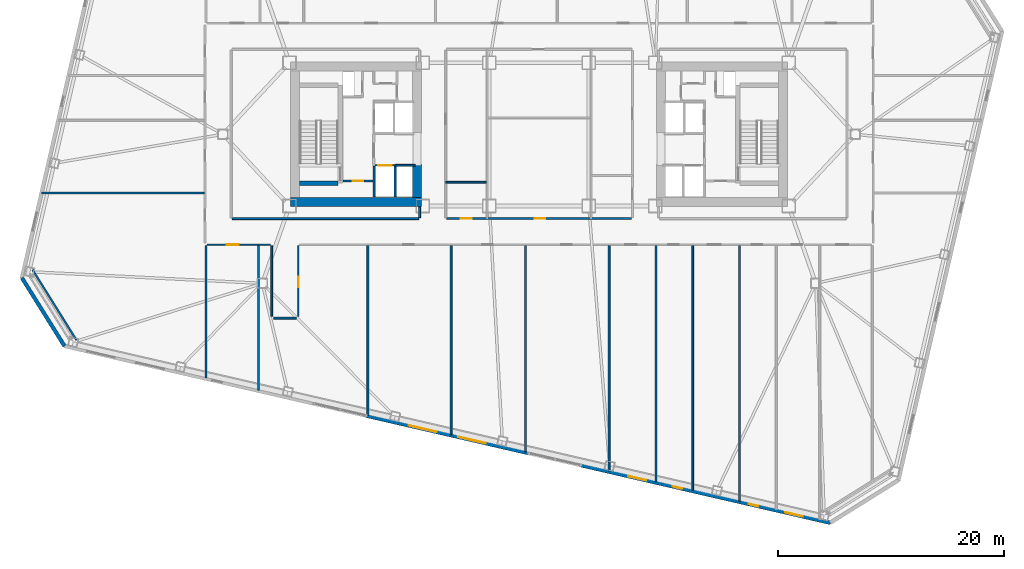
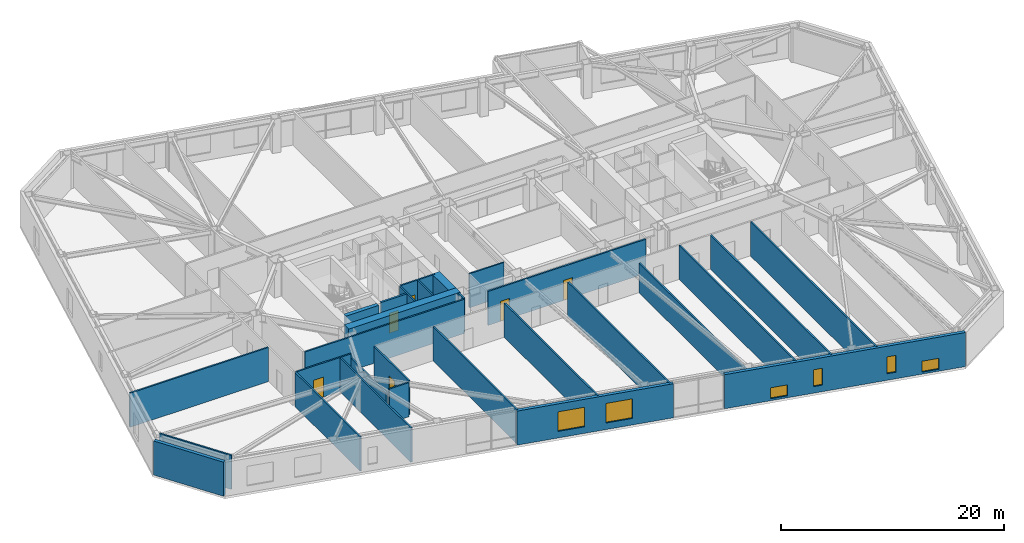
# One storey, part 11 of 21: 30 walls, 6 doors, 6 windows, 12 openings.
"""IFC4 building model written with IfcOpenShell, lengths in metres."""

import ifcopenshell
import ifcopenshell.guid

model = None  # the IFC model being written
_history = None  # IfcOwnerHistory: only IFC2X3 demands one
_inside = {}  # id of a spatial element -> (the spatial element, [elements in it])
_under = {}  # id of a project, library or spatial element -> (it, [spatial elements below it])
_declared = {}  # id of a project -> (the project, [libraries it declares])
_typed = {}  # id of a type object -> (the type object, [elements of that type])
_made_of = {}  # id of a material, layer set ... -> (it, [elements and type objects made of it])


def new_model(schema):
    """Start an empty IFC model of exactly this schema.

    Asked for "IFC4X3", IfcOpenShell would pick the latest addendum, in which some entities
    have other attributes; the version numbers below select the first issue.
    IFC2X3 requires an IfcOwnerHistory on every rooted entity: one is made here for all.
    """
    global model, _history
    if schema == "IFC4X3":
        model = ifcopenshell.file(schema_version=(4, 3, 0, 0))
    else:
        model = ifcopenshell.file(schema=schema)
    _inside.clear()
    _under.clear()
    _declared.clear()
    _typed.clear()
    _made_of.clear()
    _history = None
    if model.schema == "IFC2X3":
        org = make("IfcOrganization", Name="unknown")
        user = make(
            "IfcPersonAndOrganization",
            ThePerson=make("IfcPerson", FamilyName="unknown"),
            TheOrganization=org,
        )
        app = make(
            "IfcApplication",
            ApplicationDeveloper=org,
            Version="unknown",
            ApplicationFullName="unknown",
            ApplicationIdentifier="unknown",
        )
        _history = make(
            "IfcOwnerHistory",
            OwningUser=user,
            OwningApplication=app,
            ChangeAction="ADDED",
            CreationDate=0,
        )
    return model


def make(cls, **values):
    """One entity of the class cls with the attributes given. An attribute that is None is left unset."""
    return model.create_entity(
        cls, **{name: value for name, value in values.items() if value is not None}
    )


def rooted(cls, **values):
    """An entity with a GlobalId (a new one), such as an element, a storey or a relation."""
    return make(cls, GlobalId=ifcopenshell.guid.new(), OwnerHistory=_history, **values)


def si_unit(unit_type, name, prefix=None):
    """IfcSIUnit, for example si_unit("LENGTHUNIT", "METRE", prefix="MILLI")."""
    return make("IfcSIUnit", UnitType=unit_type, Prefix=prefix, Name=name)


def assignment(units):
    """IfcUnitAssignment: the units of a project."""
    return None if units is None else make("IfcUnitAssignment", Units=units)


def point(xyz):
    """IfcCartesianPoint."""
    return None if xyz is None else make("IfcCartesianPoint", Coordinates=xyz)


def direction(xyz):
    """IfcDirection."""
    return None if xyz is None else make("IfcDirection", DirectionRatios=xyz)


def frame(location, z_axis=None, x_axis=None):
    """IfcAxis2Placement3D, a coordinate frame: its origin and axes. An axis left out is left unset."""
    return make(
        "IfcAxis2Placement3D",
        Location=point(location),
        Axis=direction(z_axis),
        RefDirection=direction(x_axis),
    )


def frame_2d(location, x_axis=None):
    """IfcAxis2Placement2D, a coordinate frame in the plane: its origin and x axis."""
    return make(
        "IfcAxis2Placement2D", Location=point(location), RefDirection=direction(x_axis)
    )


def origin():
    """The frame at (0, 0, 0) with its axes left unset."""
    return frame((0.0, 0.0, 0.0))


def place(relative_to, where):
    """IfcLocalPlacement: puts the frame where relative to a parent placement (None: the world)."""
    return make(
        "IfcLocalPlacement", PlacementRelTo=relative_to, RelativePlacement=where
    )


def context(
    kind, dimensions, precision=None, world=None, true_north=None, identifier=None
):
    """IfcGeometricRepresentationContext, for example the 3D "Model" context."""
    return make(
        "IfcGeometricRepresentationContext",
        ContextIdentifier=identifier,
        ContextType=kind,
        CoordinateSpaceDimension=dimensions,
        Precision=precision,
        WorldCoordinateSystem=world,
        TrueNorth=true_north,
    )


def subcontext(parent, identifier, kind, view, scale=None):
    """IfcGeometricRepresentationSubContext, for example "Body" below "Model"."""
    return make(
        "IfcGeometricRepresentationSubContext",
        ContextIdentifier=identifier,
        ContextType=kind,
        ParentContext=parent,
        TargetScale=scale,
        TargetView=view,
    )


def project(units=None, contexts=None):
    """IfcProject with its units and contexts."""
    return rooted(
        "IfcProject",
        Name="project",
        RepresentationContexts=contexts,
        UnitsInContext=assignment(units),
    )


def spatial(cls, under=None, at=None, **own):
    """A site, building, storey or space (cls), placed at a placement, below another one or the project."""
    s = rooted(cls, ObjectPlacement=at, **own)
    if under is not None:
        _under.setdefault(under.id(), (under, []))[1].append(s)
    return s


def profile(cls, at=None, kind="AREA", **sizes):
    """A parametric profile (cls). Its sizes go by their IFC names, for example OverallWidth=200.0."""
    return make(cls, ProfileType=kind, Position=at, **sizes)


def rectangle(**sizes):
    """IfcRectangleProfileDef."""
    return profile("IfcRectangleProfileDef", **sizes)


def extrude(swept, where, along, depth):
    """IfcExtrudedAreaSolid: the profile swept, set in the frame where, extruded along a direction by depth."""
    return make(
        "IfcExtrudedAreaSolid",
        SweptArea=swept,
        Position=where,
        ExtrudedDirection=direction(along),
        Depth=depth,
    )


def shape(context_of_items, identifier, shape_type, items):
    """IfcShapeRepresentation: the items that make up one representation, for example the "Body"."""
    return make(
        "IfcShapeRepresentation",
        ContextOfItems=context_of_items,
        RepresentationIdentifier=identifier,
        RepresentationType=shape_type,
        Items=items,
    )


def material(Name=None, Category=None):
    """IfcMaterial."""
    return make("IfcMaterial", Name=Name, Category=Category)


def layer(
    of_material, thickness, ventilated=None, Name=None, Category=None, Priority=None
):
    """IfcMaterialLayer: one layer of a wall or slab, of a material (None: an air gap)."""
    return make(
        "IfcMaterialLayer",
        Material=of_material,
        LayerThickness=thickness,
        IsVentilated=ventilated,
        Name=Name,
        Category=Category,
        Priority=Priority,
    )


def layer_set(layers, Name=None):
    """IfcMaterialLayerSet."""
    return make("IfcMaterialLayerSet", MaterialLayers=layers, LayerSetName=Name)


def made_of(thing, what):
    """Note that an element or type object is made of a material, layer set ...; save() writes the relation."""
    if what is not None:
        _made_of.setdefault(what.id(), (what, []))[1].append(thing)
    return thing


def type_object(cls, material=None, **own):
    """A type object (cls), such as IfcWallType, which elements share."""
    return made_of(rooted(cls, **own), material)


def element(
    cls,
    number,
    at=None,
    inside=None,
    cuts=None,
    type_object=None,
    material=None,
    context=None,
    identifier="Body",
    shape_type=None,
    held_by="IfcProductDefinitionShape",
    body=None,
    shapes=None,
    **own,
):
    """One element of the class cls, such as IfcWall. Its Tag is "e" and its number.

    at: its placement. inside: the storey or other place that contains it. cuts: it is an
    opening in that element (IfcRelVoidsElement). A single representation is given by context,
    identifier, shape_type and body (its items); several are given by shapes. held_by: the class
    of the entity that holds the representations. save() writes the other relations.
    """
    e = rooted(cls, Tag="e%d" % number, ObjectPlacement=at, **own)
    if body is not None:
        shapes = [shape(context, identifier, shape_type, body)]
    if shapes is not None:
        e.Representation = make(held_by, Representations=shapes)
    if inside is not None:
        _inside.setdefault(inside.id(), (inside, []))[1].append(e)
    if cuts is not None:
        rooted(
            "IfcRelVoidsElement", RelatingBuildingElement=cuts, RelatedOpeningElement=e
        )
    if type_object is not None:
        _typed.setdefault(type_object.id(), (type_object, []))[1].append(e)
    return made_of(e, material)


def fill(opening, filler):
    """IfcRelFillsElement: the door or window that sits in an opening."""
    return rooted(
        "IfcRelFillsElement",
        RelatingOpeningElement=opening,
        RelatedBuildingElement=filler,
    )


def aggregate(whole, parts):
    """IfcRelAggregates: a whole, such as a stair, and the parts it consists of."""
    return rooted("IfcRelAggregates", RelatingObject=whole, RelatedObjects=parts)


def save(model, path):
    """Write the relations noted so far, then the file.

    IfcRelAggregates (storeys below a building ...), IfcRelContainedInSpatialStructure (elements
    in a storey), IfcRelDefinesByType, IfcRelAssociatesMaterial and IfcRelDeclares: one each for
    every whole, place, type object, material and project.
    """
    for whole, parts in _under.values():
        aggregate(whole, parts)
    for where, things in _inside.values():
        rooted(
            "IfcRelContainedInSpatialStructure",
            RelatedElements=things,
            RelatingStructure=where,
        )
    for kind, things in _typed.values():
        rooted("IfcRelDefinesByType", RelatedObjects=things, RelatingType=kind)
    for what, things in _made_of.values():
        rooted("IfcRelAssociatesMaterial", RelatedObjects=things, RelatingMaterial=what)
    for by, libraries in _declared.values():
        rooted("IfcRelDeclares", RelatingContext=by, RelatedDefinitions=libraries)
    model.write(path)


model = new_model("IFC4")

# Units and contexts
model_context = context("Model", 3, precision=1e-05, world=origin(), true_north=direction((0.0, 1.0)))
body_context = subcontext(model_context, "Body", "Model", "MODEL_VIEW")
ifc_project = project(units=[si_unit("LENGTHUNIT", "METRE"), si_unit("AREAUNIT", "SQUARE_METRE"), si_unit("VOLUMEUNIT", "CUBIC_METRE"), si_unit("PLANEANGLEUNIT", "RADIAN"), si_unit("MASSUNIT", "GRAM", prefix="KILO")], contexts=[model_context])

# Site, building, storey
site_placement = place(None, origin())
site = spatial("IfcSite", under=ifc_project, at=site_placement, CompositionType="ELEMENT")
building_placement = place(site_placement, origin())
building = spatial("IfcBuilding", under=site, at=building_placement, Name="Tavrogorsk Clinical Tower", CompositionType="ELEMENT")
storey_placement = place(building_placement, frame((0.0, 0.0, 71.39990234375)))
storey = spatial("IfcBuildingStorey", under=building, at=storey_placement, Name="L15", CompositionType="ELEMENT", Elevation=71.39990234375)

# Wall, opening, door
ifc_material_1 = material(Name="Concrete B60", Category="concrete")
ifc_layer_1 = layer(ifc_material_1, 0.199951171875)
ifc_layer_set_1 = layer_set([ifc_layer_1], Name="Concrete B60")
wall_type_1 = type_object("IfcWallType", Name="CoreFireWall_200", PredefinedType="SOLIDWALL", material=ifc_layer_set_1)
wall_1_placement = place(storey_placement, frame((-17.3798828125, -4.139892578125, 0.0), z_axis=(0.0, 0.0, 1.0), x_axis=(1.0, 0.0, 0.0)))
wall_1 = element("IfcWall", 1, at=wall_1_placement, inside=storey, type_object=wall_type_1, Name="L15 Core West South Core Room Fire Wall", PredefinedType="SOLIDWALL", context=body_context, shape_type="SweptSolid", body=[
    extrude(rectangle(XDim=2.659912109375, YDim=0.199951171875, at=frame_2d((1.330078125, 0.0))), origin(), (0.0, 0.0, 1.0), 3.739990234375),
])
opening_1_placement = place(wall_1_placement, frame((0.8798828125, 0.0, 0.0)))
opening_1 = element("IfcOpeningElement", 2, at=opening_1_placement, cuts=wall_1, Name="Opening ID-02", PredefinedType="OPENING", context=body_context, shape_type="SweptSolid", body=[
    extrude(rectangle(XDim=0.949951171875, YDim=2.199951171875, at=frame_2d((0.47509765625, 1.10009765625))), frame((0.0, 0.10986328125, 0.0), z_axis=(0.0, -1.0, 0.0), x_axis=(1.0, 0.0, 0.0)), (0.0, 0.0, 1.0), 0.219970703125),
])
ifc_material_2 = material(Name="Laminated timber leaf on aluminium frame", Category="wood")
door_type_1 = type_object("IfcDoorType", Name="InteriorDoor_ID02_950", OperationType="NOTDEFINED", PredefinedType="DOOR", material=ifc_material_2)
door_1_placement = place(opening_1_placement, origin())
door_1 = element("IfcDoor", 3, at=door_1_placement, inside=storey, type_object=door_type_1, Name="L15 Core West South Core Room Door", OperationType="SINGLE_SWING_RIGHT", OverallHeight=2.199951171875, OverallWidth=0.949951171875, PredefinedType="DOOR", context=body_context, shape_type="SweptSolid", body=[
    extrude(rectangle(XDim=0.949951171875, YDim=2.199951171875, at=frame_2d((0.47509765625, 1.10009765625))), frame((0.0, 0.02490234375, 0.0), z_axis=(0.0, -1.0, 0.0), x_axis=(1.0, 0.0, 0.0)), (0.0, 0.0, 1.0), 0.050048828125),
])
fill(opening_1, door_1)

# Walls
ifc_material_3 = material(Name="Lightweight concrete blockwork B15", Category="masonry")
ifc_layer_2 = layer(ifc_material_3, 0.139892578125)
ifc_layer_set_2 = layer_set([ifc_layer_2], Name="Lightweight concrete blockwork B15")
wall_type_2 = type_object("IfcWallType", Name="PartitionWall_140", PredefinedType="PARTITIONING", material=ifc_layer_set_2)
wall_2_placement = place(storey_placement, frame((-8.264892578125, -4.25, 0.0), z_axis=(0.0, 0.0, 1.0), x_axis=(1.0, 0.0, 0.0)))
element("IfcWall", 4, at=wall_2_placement, inside=storey, type_object=wall_type_2, Name="L15 Central Spine Partition 4", PredefinedType="PARTITIONING", context=body_context, shape_type="SweptSolid", body=[
    extrude(rectangle(XDim=3.58984375, YDim=0.139892578125, at=frame_2d((1.794921875, 0.0))), origin(), (0.0, 0.0, 1.0), 3.739990234375),
])
ifc_material_4 = material(Name="Lightweight concrete blockwork B15", Category="masonry")
ifc_layer_3 = layer(ifc_material_4, 0.159912109375)
ifc_layer_set_3 = layer_set([ifc_layer_3], Name="Lightweight concrete blockwork B15")
wall_type_3 = type_object("IfcWallType", Name="PartitionWall_160", PredefinedType="PARTITIONING", material=ifc_layer_set_3)
wall_3_placement = place(storey_placement, frame((-44.85986328125, -11.9892578125, 0.0), z_axis=(0.0, 0.0, 1.0), x_axis=(0.52991239767, -0.848052386823, 0.0)))
element("IfcWall", 5, at=wall_3_placement, inside=storey, type_object=wall_type_3, Name="L15 Corner Exoskeleton Brace Furring Wall 4", PredefinedType="PARTITIONING", context=body_context, shape_type="SweptSolid", body=[
    extrude(rectangle(XDim=7.35400390625, YDim=0.159912109375, at=frame_2d((3.677001953125, 0.0))), origin(), (0.0, 0.0, 1.0), 3.739990234375),
])

# Wall, opening, door
wall_4_placement = place(storey_placement, frame((-23.764892578125, -9.780029296875, 0.0), z_axis=(0.0, 0.0, 1.0), x_axis=(-1.0, 0.0, 0.0)))
wall_4 = element("IfcWall", 6, at=wall_4_placement, inside=storey, type_object=wall_type_3, Name="L15 Corridor Partition 01", PredefinedType="PARTITIONING", context=body_context, shape_type="SweptSolid", body=[
    extrude(rectangle(XDim=5.650146484375, YDim=0.159912109375, at=frame_2d((2.8251953125, 0.0))), origin(), (0.0, 0.0, 1.0), 3.739990234375),
])
opening_2_placement = place(wall_4_placement, frame((2.825927734375, 0.0, 0.0)))
opening_2 = element("IfcOpeningElement", 7, at=opening_2_placement, cuts=wall_4, Name="Opening ID-04", PredefinedType="OPENING", context=body_context, shape_type="SweptSolid", body=[
    extrude(rectangle(XDim=1.050048828125, YDim=2.199951171875, at=frame_2d((0.52490234375, 1.10009765625))), frame((0.0, 0.08984375, 0.0), z_axis=(0.0, -1.0, 0.0), x_axis=(1.0, 0.0, 0.0)), (0.0, 0.0, 1.0), 0.179931640625),
])
ifc_material_5 = material(Name="Antibacterial HPL consultation door on aluminium frame", Category="aluminium")
door_type_2 = type_object("IfcDoorType", Name="ConsultDoor_ID04_1050", OperationType="NOTDEFINED", PredefinedType="DOOR", material=ifc_material_5)
door_2_placement = place(opening_2_placement, origin())
door_2 = element("IfcDoor", 8, at=door_2_placement, inside=storey, type_object=door_type_2, Name="L15 South Speech & Occupational Therapy Office 01 Door", OperationType="SINGLE_SWING_RIGHT", OverallHeight=2.199951171875, OverallWidth=1.050048828125, PredefinedType="DOOR", context=body_context, shape_type="SweptSolid", body=[
    extrude(rectangle(XDim=1.050048828125, YDim=2.199951171875, at=frame_2d((0.52490234375, 1.10009765625))), frame((0.0, 0.02490234375, 0.0), z_axis=(0.0, -1.0, 0.0), x_axis=(1.0, 0.0, 0.0)), (0.0, 0.0, 1.0), 0.050048828125),
])
fill(opening_2, door_2)

wall_5_placement = place(storey_placement, frame((-21.320068359375, -9.864990234375, 0.0), z_axis=(0.0, 0.0, 1.0), x_axis=(0.0, -1.0, 0.0)))
wall_5 = element("IfcWall", 9, at=wall_5_placement, inside=storey, type_object=wall_type_3, Name="L15 Corridor Partition 06", PredefinedType="PARTITIONING", context=body_context, shape_type="SweptSolid", body=[
    extrude(rectangle(XDim=6.25, YDim=0.159912109375, at=frame_2d((3.125, 0.0))), origin(), (0.0, 0.0, 1.0), 3.739990234375),
])
opening_3_placement = place(wall_5_placement, frame((2.735107421875, 0.0, 0.0)))
opening_3 = element("IfcOpeningElement", 10, at=opening_3_placement, cuts=wall_5, Name="Opening ID-02", PredefinedType="OPENING", context=body_context, shape_type="SweptSolid", body=[
    extrude(rectangle(XDim=0.949951171875, YDim=2.199951171875, at=frame_2d((0.47509765625, 1.10009765625))), frame((0.0, 0.08984375, 0.0), z_axis=(0.0, -1.0, 0.0), x_axis=(1.0, 0.0, 0.0)), (0.0, 0.0, 1.0), 0.179931640625),
])
door_3_placement = place(opening_3_placement, origin())
door_3 = element("IfcDoor", 11, at=door_3_placement, inside=storey, type_object=door_type_1, Name="L15 South Rehabilitation Case Seminar Room 02 Door", OperationType="SINGLE_SWING_LEFT", OverallHeight=2.199951171875, OverallWidth=0.949951171875, PredefinedType="DOOR", context=body_context, shape_type="SweptSolid", body=[
    extrude(rectangle(XDim=0.949951171875, YDim=2.199951171875, at=frame_2d((0.47509765625, 1.10009765625))), frame((0.0, 0.02490234375, 0.0), z_axis=(0.0, -1.0, 0.0), x_axis=(1.0, 0.0, 0.0)), (0.0, 0.0, 1.0), 0.050048828125),
])
fill(opening_3, door_3)

# Walls
wall_6_placement = place(storey_placement, frame((-21.485107421875, -16.280029296875, 0.0), z_axis=(0.0, 0.0, 1.0), x_axis=(-1.0, 0.0, 0.0)))
element("IfcWall", 12, at=wall_6_placement, inside=storey, type_object=wall_type_3, Name="L15 Corridor Partition 07", PredefinedType="PARTITIONING", context=body_context, shape_type="SweptSolid", body=[
    extrude(rectangle(XDim=2.02978515625, YDim=0.159912109375, at=frame_2d((1.014892578125, 0.0))), origin(), (0.0, 0.0, 1.0), 3.739990234375),
])
wall_7_placement = place(storey_placement, frame((-23.679931640625, -16.114990234375, 0.0), z_axis=(0.0, 0.0, 1.0), x_axis=(0.0, 1.0, 0.0)))
element("IfcWall", 13, at=wall_7_placement, inside=storey, type_object=wall_type_3, Name="L15 Corridor Partition 08", PredefinedType="PARTITIONING", context=body_context, shape_type="SweptSolid", body=[
    extrude(rectangle(XDim=6.25, YDim=0.159912109375, at=frame_2d((3.125, 0.0))), origin(), (0.0, 0.0, 1.0), 3.235107421875),
])

# Wall, openings, doors
wall_8_placement = place(storey_placement, frame((-8.18505859375, -7.469970703125, 0.0), z_axis=(0.0, 0.0, 1.0), x_axis=(1.0, 0.0, 0.0)))
wall_8 = element("IfcWall", 14, at=wall_8_placement, inside=storey, type_object=wall_type_3, Name="L15 Corridor Partition 16", PredefinedType="PARTITIONING", context=body_context, shape_type="SweptSolid", body=[
    extrude(rectangle(XDim=16.3701171875, YDim=0.159912109375, at=frame_2d((8.18505859375, 0.0))), origin(), (0.0, 0.0, 1.0), 3.739990234375),
])
opening_4_placement = place(wall_8_placement, frame((1.254150390625, 0.0, 0.0)))
opening_4 = element("IfcOpeningElement", 15, at=opening_4_placement, cuts=wall_8, Name="Opening ID-02", PredefinedType="OPENING", context=body_context, shape_type="SweptSolid", body=[
    extrude(rectangle(XDim=0.949951171875, YDim=2.199951171875, at=frame_2d((0.47509765625, 1.10009765625))), frame((0.0, 0.08984375, 0.0), z_axis=(0.0, -1.0, 0.0), x_axis=(1.0, 0.0, 0.0)), (0.0, 0.0, 1.0), 0.179931640625),
])
opening_5_placement = place(wall_8_placement, frame((7.794921875, 0.0, 0.0)))
opening_5 = element("IfcOpeningElement", 16, at=opening_5_placement, cuts=wall_8, Name="Opening ID-02", PredefinedType="OPENING", context=body_context, shape_type="SweptSolid", body=[
    extrude(rectangle(XDim=0.949951171875, YDim=2.199951171875, at=frame_2d((0.47509765625, 1.10009765625))), frame((0.0, 0.08984375, 0.0), z_axis=(0.0, -1.0, 0.0), x_axis=(1.0, 0.0, 0.0)), (0.0, 0.0, 1.0), 0.179931640625),
])
door_4_placement = place(opening_4_placement, origin())
door_4 = element("IfcDoor", 17, at=door_4_placement, inside=storey, type_object=door_type_1, Name="L15 Accessible Patient Lavatory Door", OperationType="SINGLE_SWING_LEFT", OverallHeight=2.199951171875, OverallWidth=0.949951171875, PredefinedType="DOOR", context=body_context, shape_type="SweptSolid", body=[
    extrude(rectangle(XDim=0.949951171875, YDim=2.199951171875, at=frame_2d((0.47509765625, 1.10009765625))), frame((0.0, 0.02490234375, 0.0), z_axis=(0.0, -1.0, 0.0), x_axis=(1.0, 0.0, 0.0)), (0.0, 0.0, 1.0), 0.050048828125),
])
fill(opening_4, door_4)
door_5_placement = place(opening_5_placement, origin())
door_5 = element("IfcDoor", 18, at=door_5_placement, inside=storey, type_object=door_type_1, Name="L15 Multidisciplinary Conference Room Door", OperationType="SINGLE_SWING_LEFT", OverallHeight=2.199951171875, OverallWidth=0.949951171875, PredefinedType="DOOR", context=body_context, shape_type="SweptSolid", body=[
    extrude(rectangle(XDim=0.949951171875, YDim=2.199951171875, at=frame_2d((0.47509765625, 1.10009765625))), frame((0.0, 0.02490234375, 0.0), z_axis=(0.0, -1.0, 0.0), x_axis=(1.0, 0.0, 0.0)), (0.0, 0.0, 1.0), 0.050048828125),
])
fill(opening_5, door_5)

# Walls
wall_9_placement = place(storey_placement, frame((-10.580078125, -7.385009765625, 0.0), z_axis=(0.0, 0.0, 1.0), x_axis=(0.0, 1.0, 0.0)))
element("IfcWall", 19, at=wall_9_placement, inside=storey, type_object=wall_type_3, Name="L15 Corridor Partition 18", PredefinedType="PARTITIONING", context=body_context, shape_type="SweptSolid", body=[
    extrude(rectangle(XDim=0.965087890625, YDim=0.159912109375, at=frame_2d((0.482421875, 0.0))), origin(), (0.0, 0.0, 1.0), 3.739990234375),
])
wall_10_placement = place(storey_placement, frame((-27.18505859375, -7.469970703125, 0.0), z_axis=(0.0, 0.0, 1.0), x_axis=(1.0, 0.0, 0.0)))
element("IfcWall", 20, at=wall_10_placement, inside=storey, type_object=wall_type_3, Name="L15 Corridor Partition 22", PredefinedType="PARTITIONING", context=body_context, shape_type="SweptSolid", body=[
    extrude(rectangle(XDim=16.52001953125, YDim=0.159912109375, at=frame_2d((8.260009765625, 0.0))), origin(), (0.0, 0.0, 1.0), 3.739990234375),
])
wall_11_placement = place(storey_placement, frame((-29.5, -21.570556640625, 0.0), z_axis=(0.0, 0.0, 1.0), x_axis=(0.0, 1.0, 0.0)))
element("IfcWall", 21, at=wall_11_placement, inside=storey, type_object=wall_type_3, Name="L15 SW Wing Closure Partition", PredefinedType="PARTITIONING", context=body_context, shape_type="SweptSolid", body=[
    extrude(rectangle(XDim=11.70556640625, YDim=0.159912109375, at=frame_2d((5.852783203125, 0.0))), origin(), (0.0, 0.0, 1.0), 3.739990234375),
])
wall_12_placement = place(storey_placement, frame((-24.85009765625, -22.64404296875, 0.0), z_axis=(0.0, 0.0, 1.0), x_axis=(0.0, 1.0, 0.0)))
element("IfcWall", 22, at=wall_12_placement, inside=storey, type_object=wall_type_3, Name="L15 South Room Partition 1", PredefinedType="PARTITIONING", context=body_context, shape_type="SweptSolid", body=[
    extrude(rectangle(XDim=12.779052734375, YDim=0.159912109375, at=frame_2d((6.3896484375, 0.0))), origin(), (0.0, 0.0, 1.0), 3.739990234375),
])
wall_13_placement = place(storey_placement, frame((-15.159912109375, -24.881103515625, 0.0), z_axis=(0.0, 0.0, 1.0), x_axis=(0.0, 1.0, 0.0)))
element("IfcWall", 23, at=wall_13_placement, inside=storey, type_object=wall_type_3, Name="L15 South Room Partition 2", PredefinedType="PARTITIONING", context=body_context, shape_type="SweptSolid", body=[
    extrude(rectangle(XDim=15.01611328125, YDim=0.159912109375, at=frame_2d((7.508056640625, 0.0))), origin(), (0.0, 0.0, 1.0), 3.739990234375),
])
wall_14_placement = place(storey_placement, frame((-7.7900390625, -26.582763671875, 0.0), z_axis=(0.0, 0.0, 1.0), x_axis=(0.0, 1.0, 0.0)))
element("IfcWall", 24, at=wall_14_placement, inside=storey, type_object=wall_type_3, Name="L15 South Room Partition 3", PredefinedType="PARTITIONING", context=body_context, shape_type="SweptSolid", body=[
    extrude(rectangle(XDim=16.7177734375, YDim=0.159912109375, at=frame_2d((8.35888671875, 0.0))), origin(), (0.0, 0.0, 1.0), 3.739990234375),
])
wall_15_placement = place(storey_placement, frame((-1.199951171875, -28.10400390625, 0.0), z_axis=(0.0, 0.0, 1.0), x_axis=(0.0, 1.0, 0.0)))
element("IfcWall", 25, at=wall_15_placement, inside=storey, type_object=wall_type_3, Name="L15 South Room Partition 4", PredefinedType="PARTITIONING", context=body_context, shape_type="SweptSolid", body=[
    extrude(rectangle(XDim=18.239013671875, YDim=0.159912109375, at=frame_2d((9.11962890625, 0.0))), origin(), (0.0, 0.0, 1.0), 3.739990234375),
])
wall_16_placement = place(storey_placement, frame((6.199951171875, -29.8125, 0.0), z_axis=(0.0, 0.0, 1.0), x_axis=(0.0, 1.0, 0.0)))
element("IfcWall", 26, at=wall_16_placement, inside=storey, type_object=wall_type_3, Name="L15 South Room Partition 5", PredefinedType="PARTITIONING", context=body_context, shape_type="SweptSolid", body=[
    extrude(rectangle(XDim=19.947509765625, YDim=0.159912109375, at=frame_2d((9.9736328125, 0.0))), origin(), (0.0, 0.0, 1.0), 3.235107421875),
])
wall_17_placement = place(storey_placement, frame((13.60009765625, -31.52099609375, 0.0), z_axis=(0.0, 0.0, 1.0), x_axis=(0.0, 1.0, 0.0)))
element("IfcWall", 27, at=wall_17_placement, inside=storey, type_object=wall_type_3, Name="L15 South Room Partition 6", PredefinedType="PARTITIONING", context=body_context, shape_type="SweptSolid", body=[
    extrude(rectangle(XDim=21.656005859375, YDim=0.159912109375, at=frame_2d((10.828125, 0.0))), origin(), (0.0, 0.0, 1.0), 3.739990234375),
])
wall_18_placement = place(storey_placement, frame((10.35009765625, -30.7705078125, 0.0), z_axis=(0.0, 0.0, 1.0), x_axis=(0.0, 1.0, 0.0)))
element("IfcWall", 28, at=wall_18_placement, inside=storey, type_object=wall_type_3, Name="L15 South Sub-Partition 6", PredefinedType="PARTITIONING", context=body_context, shape_type="SweptSolid", body=[
    extrude(rectangle(XDim=20.905517578125, YDim=0.159912109375, at=frame_2d((10.45263671875, 0.0))), origin(), (0.0, 0.0, 1.0), 3.739990234375),
])
wall_19_placement = place(storey_placement, frame((17.75, -32.47900390625, 0.0), z_axis=(0.0, 0.0, 1.0), x_axis=(0.0, 1.0, 0.0)))
element("IfcWall", 29, at=wall_19_placement, inside=storey, type_object=wall_type_3, Name="L15 South Sub-Partition 7", PredefinedType="PARTITIONING", context=body_context, shape_type="SweptSolid", body=[
    extrude(rectangle(XDim=22.614013671875, YDim=0.159912109375, at=frame_2d((11.30712890625, 0.0))), origin(), (0.0, 0.0, 1.0), 3.739990234375),
])
wall_20_placement = place(storey_placement, frame((-44.0419921875, -5.199951171875, 0.0), z_axis=(0.0, 0.0, 1.0), x_axis=(1.0, 0.0, 0.0)))
element("IfcWall", 30, at=wall_20_placement, inside=storey, type_object=wall_type_3, Name="L15 W Wing Divider 1", PredefinedType="PARTITIONING", context=body_context, shape_type="SweptSolid", body=[
    extrude(rectangle(XDim=14.376953125, YDim=0.159912109375, at=frame_2d((7.1884765625, 0.0))), origin(), (0.0, 0.0, 1.0), 3.739990234375),
])

# Wall, openings, windows
ifc_material_6 = material(Name="Precast concrete B45 with limestone cladding", Category="masonry")
ifc_layer_4 = layer(ifc_material_6, 0.340087890625)
ifc_layer_set_4 = layer_set([ifc_layer_4], Name="Precast concrete B45 with limestone cladding")
wall_type_4 = type_object("IfcWallType", Name="PrecastLimestoneWall_340", PredefinedType="STANDARD", material=ifc_layer_set_4)
wall_21_placement = place(storey_placement, frame((-15.28076171875, -24.925048828125, 0.0), z_axis=(0.0, 0.0, 1.0), x_axis=(0.974370193991, -0.22495049469, 0.0)))
wall_21 = element("IfcWall", 31, at=wall_21_placement, inside=storey, type_object=wall_type_4, Name="L15 S Limestone Facade Wall 2", PredefinedType="STANDARD", context=body_context, shape_type="SweptSolid", body=[
    extrude(rectangle(XDim=14.697265625, YDim=0.340087890625, at=frame_2d((7.3486328125, 0.0))), origin(), (0.0, 0.0, 1.0), 3.739990234375),
])
opening_6_placement = place(wall_21_placement, frame((3.8564453125, 0.0, 0.719970703125)))
opening_6 = element("IfcOpeningElement", 32, at=opening_6_placement, cuts=wall_21, Name="Opening WN-11", PredefinedType="OPENING", context=body_context, shape_type="SweptSolid", body=[
    extrude(rectangle(XDim=2.5, YDim=2.14990234375, at=frame_2d((1.25, 1.074951171875))), frame((0.0, 0.179931640625, 0.0), z_axis=(0.0, -1.0, 0.0), x_axis=(1.0, 0.0, 0.0)), (0.0, 0.0, 1.0), 0.360107421875),
])
opening_7_placement = place(wall_21_placement, frame((8.3408203125, 0.0, 0.719970703125)))
opening_7 = element("IfcOpeningElement", 33, at=opening_7_placement, cuts=wall_21, Name="Opening WN-11", PredefinedType="OPENING", context=body_context, shape_type="SweptSolid", body=[
    extrude(rectangle(XDim=2.5, YDim=2.14990234375, at=frame_2d((1.25, 1.074951171875))), frame((0.0, 0.179931640625, 0.0), z_axis=(0.0, -1.0, 0.0), x_axis=(1.0, 0.0, 0.0)), (0.0, 0.0, 1.0), 0.360107421875),
])
ifc_material_7 = material(Name="Thermally broken aluminium frame and triple IGU", Category="aluminium")
window_type_1 = type_object("IfcWindowType", Name="StepDownWin_2500x2150", PartitioningType="TRIPLE_PANEL_HORIZONTAL", PredefinedType="WINDOW", material=ifc_material_7)
window_1_placement = place(opening_6_placement, origin())
window_1 = element("IfcWindow", 34, at=window_1_placement, inside=storey, type_object=window_type_1, Name="L15 S Chicago Window 05", OverallHeight=2.14990234375, OverallWidth=2.5, PartitioningType="SINGLE_PANEL", PredefinedType="WINDOW", context=body_context, shape_type="SweptSolid", body=[
    extrude(rectangle(XDim=2.5, YDim=2.14990234375, at=frame_2d((1.25, 1.074951171875))), frame((0.0, 0.030029296875, 0.0), z_axis=(0.0, -1.0, 0.0), x_axis=(1.0, 0.0, 0.0)), (0.0, 0.0, 1.0), 0.06005859375),
])
fill(opening_6, window_1)
window_2_placement = place(opening_7_placement, origin())
window_2 = element("IfcWindow", 35, at=window_2_placement, inside=storey, type_object=window_type_1, Name="L15 S Chicago Window 06", OverallHeight=2.14990234375, OverallWidth=2.5, PartitioningType="SINGLE_PANEL", PredefinedType="WINDOW", context=body_context, shape_type="SweptSolid", body=[
    extrude(rectangle(XDim=2.5, YDim=2.14990234375, at=frame_2d((1.25, 1.074951171875))), frame((0.0, 0.030029296875, 0.0), z_axis=(0.0, -1.0, 0.0), x_axis=(1.0, 0.0, 0.0)), (0.0, 0.0, 1.0), 0.06005859375),
])
fill(opening_7, window_2)

wall_22_placement = place(storey_placement, frame((3.716796875, -29.31103515625, 0.0), z_axis=(0.0, 0.0, 1.0), x_axis=(0.97436993772, -0.224951604723, 0.0)))
wall_22 = element("IfcWall", 36, at=wall_22_placement, inside=storey, type_object=wall_type_4, Name="L15 S Limestone Facade Wall 3", PredefinedType="STANDARD", context=body_context, shape_type="SweptSolid", body=[
    extrude(rectangle(XDim=22.6513671875, YDim=0.340087890625, at=frame_2d((11.32568359375, 0.0))), origin(), (0.0, 0.0, 1.0), 3.739990234375),
])
opening_8_placement = place(wall_22_placement, frame((4.306396484375, 0.0, 0.219970703125)))
opening_8 = element("IfcOpeningElement", 37, at=opening_8_placement, cuts=wall_22, Name="Opening WN-09", PredefinedType="OPENING", context=body_context, shape_type="SweptSolid", body=[
    extrude(rectangle(XDim=1.60009765625, YDim=1.199951171875, at=frame_2d((0.800048828125, 0.60009765625))), frame((0.0, 0.179931640625, 0.0), z_axis=(0.0, -1.0, 0.0), x_axis=(1.0, 0.0, 0.0)), (0.0, 0.0, 1.0), 0.360107421875),
])
opening_9_placement = place(wall_22_placement, frame((8.3408203125, 0.0, 0.719970703125)))
opening_9 = element("IfcOpeningElement", 38, at=opening_9_placement, cuts=wall_22, Name="Opening WN-06", PredefinedType="OPENING", context=body_context, shape_type="SweptSolid", body=[
    extrude(rectangle(XDim=0.85009765625, YDim=1.85009765625, at=frame_2d((0.425048828125, 0.925048828125))), frame((0.0, 0.179931640625, 0.0), z_axis=(0.0, -1.0, 0.0), x_axis=(1.0, 0.0, 0.0)), (0.0, 0.0, 1.0), 0.360107421875),
])
opening_10_placement = place(wall_22_placement, frame((15.2548828125, 0.0, 0.719970703125)))
opening_10 = element("IfcOpeningElement", 39, at=opening_10_placement, cuts=wall_22, Name="Opening WN-06", PredefinedType="OPENING", context=body_context, shape_type="SweptSolid", body=[
    extrude(rectangle(XDim=0.85009765625, YDim=1.85009765625, at=frame_2d((0.425048828125, 0.925048828125))), frame((0.0, 0.179931640625, 0.0), z_axis=(0.0, -1.0, 0.0), x_axis=(1.0, 0.0, 0.0)), (0.0, 0.0, 1.0), 0.360107421875),
])
opening_11_placement = place(wall_22_placement, frame((18.539306640625, 0.0, 0.219970703125)))
opening_11 = element("IfcOpeningElement", 40, at=opening_11_placement, cuts=wall_22, Name="Opening WN-09", PredefinedType="OPENING", context=body_context, shape_type="SweptSolid", body=[
    extrude(rectangle(XDim=1.60009765625, YDim=1.199951171875, at=frame_2d((0.800048828125, 0.60009765625))), frame((0.0, 0.179931640625, 0.0), z_axis=(0.0, -1.0, 0.0), x_axis=(1.0, 0.0, 0.0)), (0.0, 0.0, 1.0), 0.360107421875),
])
ifc_material_8 = material(Name="Thermally broken aluminium frame and triple IGU", Category="aluminium")
window_type_2 = type_object("IfcWindowType", Name="LowHeadTransWin_1600x1200", PartitioningType="DOUBLE_PANEL_VERTICAL", PredefinedType="WINDOW", material=ifc_material_8)
window_3_placement = place(opening_8_placement, origin())
window_3 = element("IfcWindow", 41, at=window_3_placement, inside=storey, type_object=window_type_2, Name="L15 S Chicago Window 07", OverallHeight=1.199951171875, OverallWidth=1.60009765625, PartitioningType="SINGLE_PANEL", PredefinedType="WINDOW", context=body_context, shape_type="SweptSolid", body=[
    extrude(rectangle(XDim=1.60009765625, YDim=1.199951171875, at=frame_2d((0.800048828125, 0.60009765625))), frame((0.0, 0.030029296875, 0.0), z_axis=(0.0, -1.0, 0.0), x_axis=(1.0, 0.0, 0.0)), (0.0, 0.0, 1.0), 0.06005859375),
])
fill(opening_8, window_3)
window_4_placement = place(opening_11_placement, origin())
window_4 = element("IfcWindow", 42, at=window_4_placement, inside=storey, type_object=window_type_2, Name="L15 S Chicago Window 10", OverallHeight=1.199951171875, OverallWidth=1.60009765625, PartitioningType="SINGLE_PANEL", PredefinedType="WINDOW", context=body_context, shape_type="SweptSolid", body=[
    extrude(rectangle(XDim=1.60009765625, YDim=1.199951171875, at=frame_2d((0.800048828125, 0.60009765625))), frame((0.0, 0.030029296875, 0.0), z_axis=(0.0, -1.0, 0.0), x_axis=(1.0, 0.0, 0.0)), (0.0, 0.0, 1.0), 0.06005859375),
])
fill(opening_11, window_4)
ifc_material_9 = material(Name="Thermally broken aluminium frame and triple IGU", Category="aluminium")
window_type_3 = type_object("IfcWindowType", Name="MullionSubWin_850x1850", PartitioningType="SINGLE_PANEL", PredefinedType="WINDOW", material=ifc_material_9)
window_5_placement = place(opening_9_placement, origin())
window_5 = element("IfcWindow", 43, at=window_5_placement, inside=storey, type_object=window_type_3, Name="L15 S Mullion Split Window 08A", OverallHeight=1.85009765625, OverallWidth=0.85009765625, PartitioningType="SINGLE_PANEL", PredefinedType="WINDOW", context=body_context, shape_type="SweptSolid", body=[
    extrude(rectangle(XDim=0.85009765625, YDim=1.85009765625, at=frame_2d((0.425048828125, 0.925048828125))), frame((0.0, 0.030029296875, 0.0), z_axis=(0.0, -1.0, 0.0), x_axis=(1.0, 0.0, 0.0)), (0.0, 0.0, 1.0), 0.06005859375),
])
fill(opening_9, window_5)
window_6_placement = place(opening_10_placement, origin())
window_6 = element("IfcWindow", 44, at=window_6_placement, inside=storey, type_object=window_type_3, Name="L15 S Mullion Split Window 09B", OverallHeight=1.85009765625, OverallWidth=0.85009765625, PartitioningType="SINGLE_PANEL", PredefinedType="WINDOW", context=body_context, shape_type="SweptSolid", body=[
    extrude(rectangle(XDim=0.85009765625, YDim=1.85009765625, at=frame_2d((0.425048828125, 0.925048828125))), frame((0.0, 0.030029296875, 0.0), z_axis=(0.0, -1.0, 0.0), x_axis=(1.0, 0.0, 0.0)), (0.0, 0.0, 1.0), 0.06005859375),
])
fill(opening_10, window_6)

# Wall
wall_23_placement = place(storey_placement, frame((-45.798095703125, -12.71728515625, 0.0), z_axis=(0.0, 0.0, 1.0), x_axis=(0.529906387556, -0.848056142261, 0.0)))
element("IfcWall", 45, at=wall_23_placement, inside=storey, type_object=wall_type_4, Name="L15 Chamfered Corner Wall 4", PredefinedType="STANDARD", context=body_context, shape_type="SweptSolid", body=[
    extrude(rectangle(XDim=7.113525390625, YDim=0.340087890625, at=frame_2d((3.556640625, 0.0))), origin(), (0.0, 0.0, 1.0), 3.739990234375),
])

# Wall, opening, door
ifc_material_10 = material(Name="Lightweight concrete blockwork B25", Category="masonry")
ifc_layer_5 = layer(ifc_material_10, 0.159912109375)
ifc_layer_set_5 = layer_set([ifc_layer_5], Name="Lightweight concrete blockwork B25")
wall_type_5 = type_object("IfcWallType", Name="ShaftWall_160", PredefinedType="PARTITIONING", material=ifc_layer_set_5)
wall_24_placement = place(storey_placement, frame((-14.530029296875, -2.75, 0.0), z_axis=(0.0, 0.0, 1.0), x_axis=(1.0, 0.0, 0.0)))
wall_24 = element("IfcWall", 46, at=wall_24_placement, inside=storey, type_object=wall_type_5, Name="L15 LP-L1 Lift Shaft Portal Wall", PredefinedType="PARTITIONING", context=body_context, shape_type="SweptSolid", body=[
    extrude(rectangle(XDim=1.760009765625, YDim=0.159912109375, at=frame_2d((0.8798828125, 0.0))), origin(), (0.0, 0.0, 1.0), 3.739990234375),
])
opening_12_placement = place(wall_24_placement, frame((0.280029296875, 0.0, 0.0)))
opening_12 = element("IfcOpeningElement", 47, at=opening_12_placement, cuts=wall_24, Name="Opening LD", PredefinedType="OPENING", context=body_context, shape_type="SweptSolid", body=[
    extrude(rectangle(XDim=1.199951171875, YDim=2.199951171875, at=frame_2d((0.60009765625, 1.10009765625))), frame((0.0, 0.08984375, 0.0), z_axis=(0.0, -1.0, 0.0), x_axis=(1.0, 0.0, 0.0)), (0.0, 0.0, 1.0), 0.179931640625),
])
ifc_material_11 = material(Name="Brushed stainless steel AISI 304 sliding doors", Category="steel")
door_type_3 = type_object("IfcDoorType", Name="LiftLandingDoor_LD_1200", OperationType="SLIDING_TO_LEFT", PredefinedType="DOOR", material=ifc_material_11)
door_6_placement = place(opening_12_placement, origin())
door_6 = element("IfcDoor", 48, at=door_6_placement, inside=storey, type_object=door_type_3, Name="L15 LP-L1 Sliding Lift Landing Door", OperationType="SLIDING_TO_LEFT", OverallHeight=2.199951171875, OverallWidth=1.199951171875, PredefinedType="DOOR", context=body_context, shape_type="SweptSolid", body=[
    extrude(rectangle(XDim=1.199951171875, YDim=2.199951171875, at=frame_2d((0.60009765625, 1.10009765625))), frame((0.0, 0.02490234375, 0.0), z_axis=(0.0, -1.0, 0.0), x_axis=(1.0, 0.0, 0.0)), (0.0, 0.0, 1.0), 0.050048828125),
])
fill(opening_12, door_6)

# Walls
for number, where, z_axis, x_axis, name in (
    (49, (-12.75, -5.5400390625, 0.0), (0.0, 0.0, 1.0), (0.0, 1.0, 0.0), "L15 LP-L1 Lift Hoistway Divider Wall"),
    (50, (-14.610107421875, -5.5400390625, 0.0), (0.0, 0.0, 1.0), (0.0, 1.0, 0.0), "L15 LP-L1 Lift Hoistway Outer Cheek Wall"),
):
    element("IfcWall", number, at=place(storey_placement, frame(where, z_axis=z_axis, x_axis=x_axis)), inside=storey, type_object=wall_type_5, Name=name, PredefinedType="PARTITIONING", context=body_context, shape_type="SweptSolid", body=[
        extrude(rectangle(XDim=2.699951171875, YDim=0.159912109375, at=frame_2d((1.35009765625, 0.0))), origin(), (0.0, 0.0, 1.0), 3.739990234375),
    ])
wall_25_placement = place(storey_placement, frame((-12.72998046875, -2.75, 0.0), z_axis=(0.0, 0.0, 1.0), x_axis=(1.0, 0.0, 0.0)))
element("IfcWall", 51, at=wall_25_placement, inside=storey, type_object=wall_type_5, Name="L15 LP-M1 Lift Shaft Portal Wall", PredefinedType="PARTITIONING", context=body_context, shape_type="SweptSolid", body=[
    extrude(rectangle(XDim=1.760009765625, YDim=0.159912109375, at=frame_2d((0.8798828125, 0.0))), origin(), (0.0, 0.0, 1.0), 3.739990234375),
])
ifc_material_12 = material(Name="Concrete B80", Category="concrete")
ifc_layer_6 = layer(ifc_material_12, 0.39990234375)
ifc_layer_set_6 = layer_set([ifc_layer_6], Name="Concrete B80")
wall_type_6 = type_object("IfcWallType", Name="ShearWall_400", PredefinedType="SHEAR", material=ifc_layer_set_6)
wall_26_placement = place(storey_placement, frame((-21.199951171875, -4.324951171875, 0.0), z_axis=(0.0, 0.0, 1.0), x_axis=(1.0, 0.0, 0.0)))
element("IfcWall", 52, at=wall_26_placement, inside=storey, type_object=wall_type_6, Name="L15 Core West Stair Shaft South Shear Wall", PredefinedType="SHEAR", context=body_context, shape_type="SweptSolid", body=[
    extrude(rectangle(XDim=3.39990234375, YDim=0.39990234375, at=frame_2d((1.699951171875, 0.0))), origin(), (0.0, 0.0, 1.0), 3.739990234375),
])
ifc_material_13 = material(Name="Concrete B80", Category="concrete")
ifc_layer_7 = layer(ifc_material_13, 0.800048828125)
ifc_layer_set_7 = layer_set([ifc_layer_7], Name="Concrete B80")
wall_type_7 = type_object("IfcWallType", Name="ShearWall_800", PredefinedType="SHEAR", material=ifc_layer_set_7)
wall_27_placement = place(storey_placement, frame((-22.0, -6.0, 0.0), z_axis=(0.0, 0.0, 1.0), x_axis=(1.0, 0.0, 0.0)))
element("IfcWall", 53, at=wall_27_placement, inside=storey, type_object=wall_type_7, Name="L15 Core West South Shear Wall", PredefinedType="SHEAR", context=body_context, shape_type="SweptSolid", body=[
    extrude(rectangle(XDim=11.60009765625, YDim=0.800048828125, at=frame_2d((5.800048828125, 0.0))), origin(), (0.0, 0.0, 1.0), 3.739990234375),
])
wall_28_placement = place(storey_placement, frame((-10.800048828125, -5.60009765625, 0.0), z_axis=(0.0, 0.0, 1.0), x_axis=(0.0, 1.0, 0.0)))
element("IfcWall", 54, at=wall_28_placement, inside=storey, type_object=wall_type_7, Name="L15 Core West Inner South Pier", PredefinedType="SHEAR", context=body_context, shape_type="SweptSolid", body=[
    extrude(rectangle(XDim=2.9501953125, YDim=0.800048828125, at=frame_2d((1.47509765625, 0.0))), origin(), (0.0, 0.0, 1.0), 3.739990234375),
])

save(model, "model.ifc")
